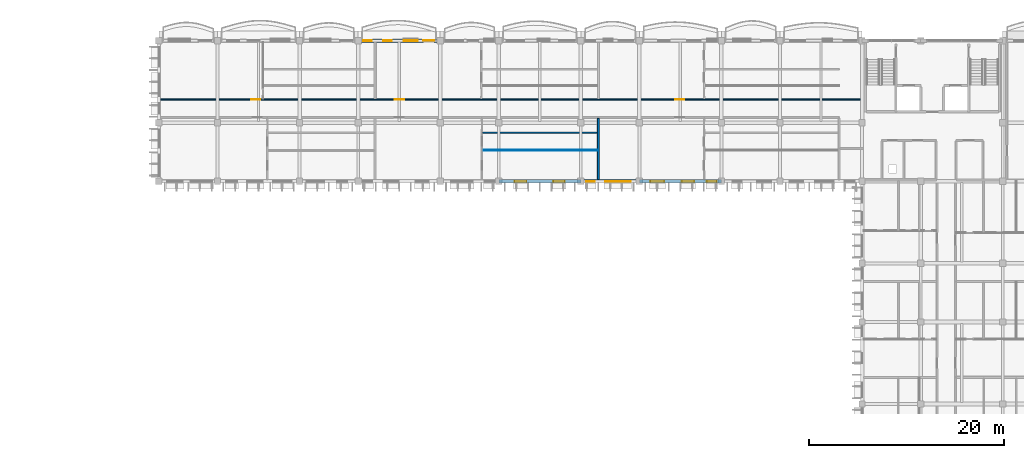
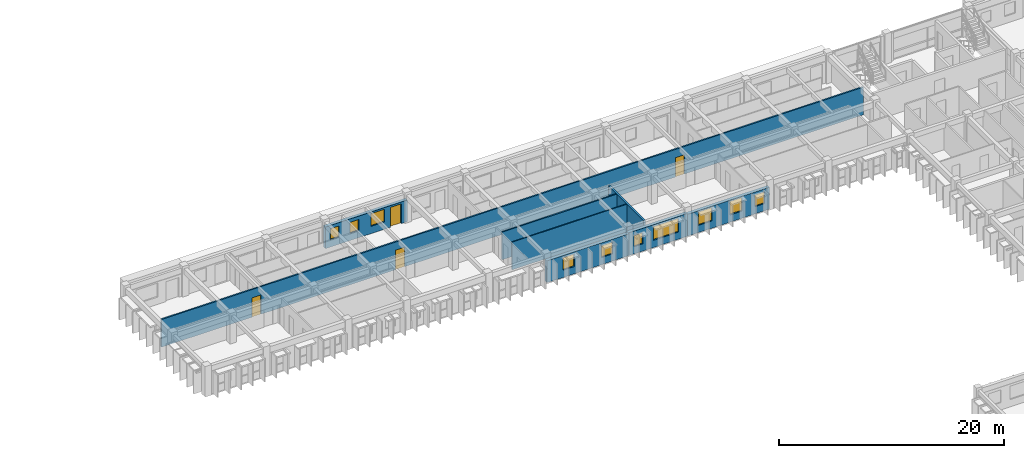
# One storey, part 29 of 70: 10 windows, 8 walls, 4 doors, 14 openings.
"""IFC4 building model written with IfcOpenShell, lengths in metres."""

from ifc_helpers import new_model, si_unit, direction, frame, frame_2d, origin, place, context, subcontext, project, spatial, rectangle, extrude, material, layer, layer_set, type_object, element, fill, save


model = new_model("IFC4")

# Units and contexts
model_context = context("Model", 3, precision=1e-05, world=origin(), true_north=direction((0.0, 1.0)))
body_context = subcontext(model_context, "Body", "Model", "MODEL_VIEW")
ifc_project = project(units=[si_unit("LENGTHUNIT", "METRE"), si_unit("AREAUNIT", "SQUARE_METRE"), si_unit("VOLUMEUNIT", "CUBIC_METRE"), si_unit("PLANEANGLEUNIT", "RADIAN"), si_unit("MASSUNIT", "GRAM", prefix="KILO"), si_unit("THERMODYNAMICTEMPERATUREUNIT", "KELVIN")], contexts=[model_context])

# Site, building, storey
site_placement = place(None, origin())
site = spatial("IfcSite", under=ifc_project, at=site_placement, CompositionType="ELEMENT")
building_placement = place(site_placement, origin())
building = spatial("IfcBuilding", under=site, at=building_placement, Name="Thalorik Housing Commons", CompositionType="ELEMENT")
storey_placement = place(building_placement, frame((0.0, 0.0, 14.699951171875)))
storey = spatial("IfcBuildingStorey", under=building, at=storey_placement, Name="L04", CompositionType="ELEMENT", Elevation=14.699951171875)

# Wall, openings, doors
ifc_material_1 = material(Name="Masonry fire-rated corridor wall", Category="masonry")
ifc_layer_1 = layer(ifc_material_1, 0.14990234375, Name="Masonry fire-rated corridor wall", Category="masonry")
ifc_layer_set_1 = layer_set([ifc_layer_1], Name="Masonry fire-rated corridor wall")
wall_type_1 = type_object("IfcWallType", Name="ARC-WAL-CORR-150", PredefinedType="PARTITIONING", material=ifc_layer_set_1)
wall_1_placement = place(storey_placement, frame((80.569580078125, 117.580078125, 0.0), z_axis=(0.0, 0.0, 1.0), x_axis=(1.0, 0.0, 0.0)))
wall_1 = element("IfcWall", 1, at=wall_1_placement, inside=storey, type_object=wall_type_1, Name="L04 Block B N Corridor Wall 2", PredefinedType="PARTITIONING", context=body_context, shape_type="SweptSolid", body=[
    extrude(rectangle(XDim=71.970458984375, YDim=0.14990234375, at=frame_2d((35.9853515625, 0.0))), origin(), (0.0, 0.0, 1.0), 3.0),
])
opening_1_placement = place(wall_1_placement, frame((9.27880859375, 0.0, 0.0)))
opening_1 = element("IfcOpeningElement", 2, at=opening_1_placement, cuts=wall_1, Name="Opening ID-1144", PredefinedType="OPENING", context=body_context, shape_type="SweptSolid", body=[
    extrude(rectangle(XDim=0.919921875, YDim=2.10009765625, at=frame_2d((0.4599609375, 1.050048828125))), frame((0.0, 0.0849609375, 0.0), z_axis=(0.0, -1.0, 0.0), x_axis=(1.0, 0.0, 0.0)), (0.0, 0.0, 1.0), 0.169921875),
])
opening_2_placement = place(wall_1_placement, frame((23.9853515625, 0.0, 0.0)))
opening_2 = element("IfcOpeningElement", 3, at=opening_2_placement, cuts=wall_1, Name="Opening ID-1145", PredefinedType="OPENING", context=body_context, shape_type="SweptSolid", body=[
    extrude(rectangle(XDim=0.9599609375, YDim=2.1201171875, at=frame_2d((0.47998046875, 1.06005859375))), frame((0.0, 0.0849609375, 0.0), z_axis=(0.0, -1.0, 0.0), x_axis=(1.0, 0.0, 0.0)), (0.0, 0.0, 1.0), 0.169921875),
])
opening_3_placement = place(wall_1_placement, frame((52.6953125, 0.0, 0.0)))
opening_3 = element("IfcOpeningElement", 4, at=opening_3_placement, cuts=wall_1, Name="Opening ID-1146", PredefinedType="OPENING", context=body_context, shape_type="SweptSolid", body=[
    extrude(rectangle(XDim=0.919921875, YDim=2.10009765625, at=frame_2d((0.4599609375, 1.050048828125))), frame((0.0, 0.0849609375, 0.0), z_axis=(0.0, -1.0, 0.0), x_axis=(1.0, 0.0, 0.0)), (0.0, 0.0, 1.0), 0.169921875),
])
ifc_material_2 = material(Name="Solid core hardwood timber", Category="wood")
door_type_1 = type_object("IfcDoorType", Name="ARC-DR-FD30-920", OperationType="NOTDEFINED", PredefinedType="DOOR", material=ifc_material_2)
door_1_placement = place(opening_1_placement, origin())
door_1 = element("IfcDoor", 5, at=door_1_placement, inside=storey, type_object=door_type_1, Name="L04 Flat BN-1B Entrance Door", OperationType="SINGLE_SWING_LEFT", OverallHeight=2.10009765625, OverallWidth=0.919921875, PredefinedType="DOOR", context=body_context, shape_type="SweptSolid", body=[
    extrude(rectangle(XDim=0.919921875, YDim=2.10009765625, at=frame_2d((0.4599609375, 1.050048828125))), frame((0.0, 0.02490234375, 0.0), z_axis=(0.0, -1.0, 0.0), x_axis=(1.0, 0.0, 0.0)), (0.0, 0.0, 1.0), 0.050048828125),
])
fill(opening_1, door_1)
door_2_placement = place(opening_3_placement, origin())
door_2 = element("IfcDoor", 6, at=door_2_placement, inside=storey, type_object=door_type_1, Name="L04 Flat BN-3B Entrance Door", OperationType="SINGLE_SWING_LEFT", OverallHeight=2.10009765625, OverallWidth=0.919921875, PredefinedType="DOOR", context=body_context, shape_type="SweptSolid", body=[
    extrude(rectangle(XDim=0.919921875, YDim=2.10009765625, at=frame_2d((0.4599609375, 1.050048828125))), frame((0.0, 0.02490234375, 0.0), z_axis=(0.0, -1.0, 0.0), x_axis=(1.0, 0.0, 0.0)), (0.0, 0.0, 1.0), 0.050048828125),
])
fill(opening_3, door_2)
door_type_2 = type_object("IfcDoorType", Name="ARC-DR-FD30-960", OperationType="NOTDEFINED", PredefinedType="DOOR", material=ifc_material_2)
door_3_placement = place(opening_2_placement, origin())
door_3 = element("IfcDoor", 7, at=door_3_placement, inside=storey, type_object=door_type_2, Name="L04 Flat BN-2B Entrance Door", OperationType="SINGLE_SWING_RIGHT", OverallHeight=2.1201171875, OverallWidth=0.9599609375, PredefinedType="DOOR", context=body_context, shape_type="SweptSolid", body=[
    extrude(rectangle(XDim=0.9599609375, YDim=2.1201171875, at=frame_2d((0.47998046875, 1.06005859375))), frame((0.0, 0.02490234375, 0.0), z_axis=(0.0, -1.0, 0.0), x_axis=(1.0, 0.0, 0.0)), (0.0, 0.0, 1.0), 0.050048828125),
])
fill(opening_2, door_3)

# Wall, openings, door, windows
ifc_material_3 = material(Name="White precast concrete C40/50", Category="concrete")
ifc_layer_2 = layer(ifc_material_3, 0.3349609375, Name="White precast concrete C40/50", Category="concrete")
ifc_layer_set_2 = layer_set([ifc_layer_2], Name="White precast concrete C40/50")
wall_type_2 = type_object("IfcWallType", Name="ARC-WAL-EXT-335", PredefinedType="STANDARD", material=ifc_layer_set_2)
wall_2_placement = place(storey_placement, frame((109.199951171875, 123.60009765625, 0.0), z_axis=(0.0, 0.0, 1.0), x_axis=(-1.0, 0.0, 0.0)))
wall_2 = element("IfcWall", 8, at=wall_2_placement, inside=storey, type_object=wall_type_2, Name="L04 Exterior Wall WAL-EXT-L04-B-0532", PredefinedType="STANDARD", context=body_context, shape_type="SweptSolid", body=[
    extrude(rectangle(XDim=8.39990234375, YDim=0.3349609375, at=frame_2d((4.199951171875, 0.0))), origin(), (0.0, 0.0, 1.0), 2.344970703125),
])
opening_4_placement = place(wall_2_placement, frame((0.6201171875, 0.0, 0.0)))
opening_4 = element("IfcOpeningElement", 9, at=opening_4_placement, cuts=wall_2, Name="Opening ED-0166", PredefinedType="OPENING", context=body_context, shape_type="SweptSolid", body=[
    extrude(rectangle(XDim=1.10009765625, YDim=2.14990234375, at=frame_2d((0.550048828125, 1.074951171875))), frame((0.0, 0.177490234375, 0.0), z_axis=(0.0, -1.0, 0.0), x_axis=(1.0, 0.0, 0.0)), (0.0, 0.0, 1.0), 0.35498046875),
])
opening_5_placement = place(wall_2_placement, frame((2.3173828125, 0.0, 0.780029296875)))
opening_5 = element("IfcOpeningElement", 10, at=opening_5_placement, cuts=wall_2, Name="Opening W-50", PredefinedType="OPENING", context=body_context, shape_type="SweptSolid", body=[
    extrude(rectangle(XDim=1.419921875, YDim=1.3798828125, at=frame_2d((0.7099609375, 0.68994140625))), frame((0.0, 0.177490234375, 0.0), z_axis=(0.0, -1.0, 0.0), x_axis=(1.0, 0.0, 0.0)), (0.0, 0.0, 1.0), 0.35498046875),
])
opening_6_placement = place(wall_2_placement, frame((4.952392578125, 0.0, 0.780029296875)))
opening_6 = element("IfcOpeningElement", 11, at=opening_6_placement, cuts=wall_2, Name="Opening W-01", PredefinedType="OPENING", context=body_context, shape_type="SweptSolid", body=[
    extrude(rectangle(XDim=0.89990234375, YDim=1.199951171875, at=frame_2d((0.449951171875, 0.60009765625))), frame((0.0, 0.177490234375, 0.0), z_axis=(0.0, -1.0, 0.0), x_axis=(1.0, 0.0, 0.0)), (0.0, 0.0, 1.0), 0.35498046875),
])
opening_7_placement = place(wall_2_placement, frame((6.985107421875, 0.0, 0.780029296875)))
opening_7 = element("IfcOpeningElement", 12, at=opening_7_placement, cuts=wall_2, Name="Opening W-01", PredefinedType="OPENING", context=body_context, shape_type="SweptSolid", body=[
    extrude(rectangle(XDim=0.89990234375, YDim=1.199951171875, at=frame_2d((0.449951171875, 0.60009765625))), frame((0.0, 0.177490234375, 0.0), z_axis=(0.0, -1.0, 0.0), x_axis=(1.0, 0.0, 0.0)), (0.0, 0.0, 1.0), 0.35498046875),
])
ifc_material_4 = material(Name="Anodised aluminium and laminated safety glass", Category="aluminium")
door_type_3 = type_object("IfcDoorType", Name="ARC-DR-BAL-1100", OperationType="NOTDEFINED", PredefinedType="DOOR", material=ifc_material_4)
door_4_placement = place(opening_4_placement, frame((1.10009765625, 0.0, 0.0), z_axis=(0.0, 0.0, 1.0), x_axis=(-1.0, 0.0, 0.0)))
door_4 = element("IfcDoor", 13, at=door_4_placement, inside=storey, type_object=door_type_3, Name="L04 Block B Balcony Glazed Door", OperationType="SINGLE_SWING_LEFT", OverallHeight=2.14990234375, OverallWidth=1.10009765625, PredefinedType="DOOR", context=body_context, shape_type="SweptSolid", body=[
    extrude(rectangle(XDim=1.10009765625, YDim=2.14990234375, at=frame_2d((0.550048828125, 1.074951171875))), frame((0.0, 0.02490234375, 0.0), z_axis=(0.0, -1.0, 0.0), x_axis=(1.0, 0.0, 0.0)), (0.0, 0.0, 1.0), 0.050048828125),
])
fill(opening_4, door_4)
ifc_material_5 = material(Name="Anodised aluminium and solar-control low-E glass", Category="aluminium")
window_type_1 = type_object("IfcWindowType", Name="ARC-WIN-01", PartitioningType="SINGLE_PANEL", PredefinedType="WINDOW", material=ifc_material_5)
window_1_placement = place(opening_6_placement, origin())
window_1 = element("IfcWindow", 14, at=window_1_placement, inside=storey, type_object=window_type_1, Name="L04 Facade Window 956", OverallHeight=1.199951171875, OverallWidth=0.89990234375, PartitioningType="SINGLE_PANEL", PredefinedType="WINDOW", context=body_context, shape_type="SweptSolid", body=[
    extrude(rectangle(XDim=0.89990234375, YDim=1.199951171875, at=frame_2d((0.449951171875, 0.60009765625))), frame((0.0, 0.030029296875, 0.0), z_axis=(0.0, -1.0, 0.0), x_axis=(1.0, 0.0, 0.0)), (0.0, 0.0, 1.0), 0.06005859375),
])
fill(opening_6, window_1)
window_2_placement = place(opening_7_placement, origin())
window_2 = element("IfcWindow", 15, at=window_2_placement, inside=storey, type_object=window_type_1, Name="L04 Facade Window 957", OverallHeight=1.199951171875, OverallWidth=0.89990234375, PartitioningType="SINGLE_PANEL", PredefinedType="WINDOW", context=body_context, shape_type="SweptSolid", body=[
    extrude(rectangle(XDim=0.89990234375, YDim=1.199951171875, at=frame_2d((0.449951171875, 0.60009765625))), frame((0.0, 0.030029296875, 0.0), z_axis=(0.0, -1.0, 0.0), x_axis=(1.0, 0.0, 0.0)), (0.0, 0.0, 1.0), 0.06005859375),
])
fill(opening_7, window_2)
window_type_2 = type_object("IfcWindowType", Name="ARC-WIN-50", PartitioningType="SINGLE_PANEL", PredefinedType="WINDOW", material=ifc_material_5)
window_3_placement = place(opening_5_placement, origin())
window_3 = element("IfcWindow", 16, at=window_3_placement, inside=storey, type_object=window_type_2, Name="L04 Facade Window 955", OverallHeight=1.3798828125, OverallWidth=1.419921875, PartitioningType="SINGLE_PANEL", PredefinedType="WINDOW", context=body_context, shape_type="SweptSolid", body=[
    extrude(rectangle(XDim=1.419921875, YDim=1.3798828125, at=frame_2d((0.7099609375, 0.68994140625))), frame((0.0, 0.030029296875, 0.0), z_axis=(0.0, -1.0, 0.0), x_axis=(1.0, 0.0, 0.0)), (0.0, 0.0, 1.0), 0.06005859375),
])
fill(opening_5, window_3)

# Wall, openings, windows
wall_3_placement = place(storey_placement, frame((115.199951171875, 109.199951171875, 0.0), z_axis=(0.0, 0.0, 1.0), x_axis=(1.0, 0.0, 0.0)))
wall_3 = element("IfcWall", 17, at=wall_3_placement, inside=storey, type_object=wall_type_2, Name="L04 Exterior Wall WAL-EXT-L04-B-0543", PredefinedType="STANDARD", context=body_context, shape_type="SweptSolid", body=[
    extrude(rectangle(XDim=8.400146484375, YDim=0.3349609375, at=frame_2d((4.2001953125, 0.0))), origin(), (0.0, 0.0, 1.0), 2.375),
])
opening_8_placement = place(wall_3_placement, frame((1.6298828125, 0.0, 0.780029296875)))
opening_8 = element("IfcOpeningElement", 18, at=opening_8_placement, cuts=wall_3, Name="Opening W-04", PredefinedType="OPENING", context=body_context, shape_type="SweptSolid", body=[
    extrude(rectangle(XDim=1.199951171875, YDim=1.35009765625, at=frame_2d((0.60009765625, 0.675048828125))), frame((0.0, 0.177490234375, 0.0), z_axis=(0.0, -1.0, 0.0), x_axis=(1.0, 0.0, 0.0)), (0.0, 0.0, 1.0), 0.35498046875),
])
opening_9_placement = place(wall_3_placement, frame((5.594970703125, 0.0, 0.780029296875)))
opening_9 = element("IfcOpeningElement", 19, at=opening_9_placement, cuts=wall_3, Name="Opening W-45", PredefinedType="OPENING", context=body_context, shape_type="SweptSolid", body=[
    extrude(rectangle(XDim=1.14990234375, YDim=1.25, at=frame_2d((0.574951171875, 0.625))), frame((0.0, 0.177490234375, 0.0), z_axis=(0.0, -1.0, 0.0), x_axis=(1.0, 0.0, 0.0)), (0.0, 0.0, 1.0), 0.35498046875),
])
window_type_3 = type_object("IfcWindowType", Name="ARC-WIN-04", PartitioningType="SINGLE_PANEL", PredefinedType="WINDOW", material=ifc_material_5)
window_4_placement = place(opening_8_placement, origin())
window_4 = element("IfcWindow", 20, at=window_4_placement, inside=storey, type_object=window_type_3, Name="L04 Facade Window 979", OverallHeight=1.35009765625, OverallWidth=1.199951171875, PartitioningType="SINGLE_PANEL", PredefinedType="WINDOW", context=body_context, shape_type="SweptSolid", body=[
    extrude(rectangle(XDim=1.199951171875, YDim=1.35009765625, at=frame_2d((0.60009765625, 0.675048828125))), frame((0.0, 0.030029296875, 0.0), z_axis=(0.0, -1.0, 0.0), x_axis=(1.0, 0.0, 0.0)), (0.0, 0.0, 1.0), 0.06005859375),
])
fill(opening_8, window_4)
window_type_4 = type_object("IfcWindowType", Name="ARC-WIN-45", PartitioningType="SINGLE_PANEL", PredefinedType="WINDOW", material=ifc_material_5)
window_5_placement = place(opening_9_placement, origin())
window_5 = element("IfcWindow", 21, at=window_5_placement, inside=storey, type_object=window_type_4, Name="L04 Facade Window 980", OverallHeight=1.25, OverallWidth=1.14990234375, PartitioningType="SINGLE_PANEL", PredefinedType="WINDOW", context=body_context, shape_type="SweptSolid", body=[
    extrude(rectangle(XDim=1.14990234375, YDim=1.25, at=frame_2d((0.574951171875, 0.625))), frame((0.0, 0.030029296875, 0.0), z_axis=(0.0, -1.0, 0.0), x_axis=(1.0, 0.0, 0.0)), (0.0, 0.0, 1.0), 0.06005859375),
])
fill(opening_9, window_5)

wall_4_placement = place(storey_placement, frame((123.60009765625, 109.199951171875, 0.0), z_axis=(0.0, 0.0, 1.0), x_axis=(1.0, 0.0, 0.0)))
wall_4 = element("IfcWall", 22, at=wall_4_placement, inside=storey, type_object=wall_type_2, Name="L04 Exterior Wall WAL-EXT-L04-B-0544", PredefinedType="STANDARD", context=body_context, shape_type="SweptSolid", body=[
    extrude(rectangle(XDim=6.0, YDim=0.3349609375, at=frame_2d((3.0, 0.0))), origin(), (0.0, 0.0, 1.0), 2.47509765625),
])
opening_10_placement = place(wall_4_placement, frame((0.544921875, 0.0, 0.780029296875)))
opening_10 = element("IfcOpeningElement", 23, at=opening_10_placement, cuts=wall_4, Name="Opening W-01", PredefinedType="OPENING", context=body_context, shape_type="SweptSolid", body=[
    extrude(rectangle(XDim=0.89990234375, YDim=1.199951171875, at=frame_2d((0.449951171875, 0.60009765625))), frame((0.0, 0.177490234375, 0.0), z_axis=(0.0, -1.0, 0.0), x_axis=(1.0, 0.0, 0.0)), (0.0, 0.0, 1.0), 0.35498046875),
])
opening_11_placement = place(wall_4_placement, frame((2.514892578125, 0.0, 0.780029296875)))
opening_11 = element("IfcOpeningElement", 24, at=opening_11_placement, cuts=wall_4, Name="Opening W-73", PredefinedType="OPENING", context=body_context, shape_type="SweptSolid", body=[
    extrude(rectangle(XDim=2.580078125, YDim=1.47998046875, at=frame_2d((1.2900390625, 0.739990234375))), frame((0.0, 0.177490234375, 0.0), z_axis=(0.0, -1.0, 0.0), x_axis=(1.0, 0.0, 0.0)), (0.0, 0.0, 1.0), 0.35498046875),
])
window_6_placement = place(opening_10_placement, origin())
window_6 = element("IfcWindow", 25, at=window_6_placement, inside=storey, type_object=window_type_1, Name="L04 Facade Window 981", OverallHeight=1.199951171875, OverallWidth=0.89990234375, PartitioningType="SINGLE_PANEL", PredefinedType="WINDOW", context=body_context, shape_type="SweptSolid", body=[
    extrude(rectangle(XDim=0.89990234375, YDim=1.199951171875, at=frame_2d((0.449951171875, 0.60009765625))), frame((0.0, 0.030029296875, 0.0), z_axis=(0.0, -1.0, 0.0), x_axis=(1.0, 0.0, 0.0)), (0.0, 0.0, 1.0), 0.06005859375),
])
fill(opening_10, window_6)
window_type_5 = type_object("IfcWindowType", Name="ARC-WIN-73", PartitioningType="DOUBLE_PANEL_VERTICAL", PredefinedType="WINDOW", material=ifc_material_5)
window_7_placement = place(opening_11_placement, origin())
window_7 = element("IfcWindow", 26, at=window_7_placement, inside=storey, type_object=window_type_5, Name="L04 Facade Window 982", OverallHeight=1.47998046875, OverallWidth=2.580078125, PartitioningType="DOUBLE_PANEL_VERTICAL", PredefinedType="WINDOW", context=body_context, shape_type="SweptSolid", body=[
    extrude(rectangle(XDim=2.580078125, YDim=1.47998046875, at=frame_2d((1.2900390625, 0.739990234375))), frame((0.0, 0.030029296875, 0.0), z_axis=(0.0, -1.0, 0.0), x_axis=(1.0, 0.0, 0.0)), (0.0, 0.0, 1.0), 0.06005859375),
])
fill(opening_11, window_7)

wall_5_placement = place(storey_placement, frame((129.60009765625, 109.199951171875, 0.0), z_axis=(0.0, 0.0, 1.0), x_axis=(1.0, 0.0, 0.0)))
wall_5 = element("IfcWall", 27, at=wall_5_placement, inside=storey, type_object=wall_type_2, Name="L04 Exterior Wall WAL-EXT-L04-B-0545", PredefinedType="STANDARD", context=body_context, shape_type="SweptSolid", body=[
    extrude(rectangle(XDim=8.39990234375, YDim=0.3349609375, at=frame_2d((4.199951171875, 0.0))), origin(), (0.0, 0.0, 1.0), 2.375),
])
opening_12_placement = place(wall_5_placement, frame((1.1337890625, 0.0, 0.780029296875)))
opening_12 = element("IfcOpeningElement", 28, at=opening_12_placement, cuts=wall_5, Name="Opening W-08", PredefinedType="OPENING", context=body_context, shape_type="SweptSolid", body=[
    extrude(rectangle(XDim=1.39990234375, YDim=1.449951171875, at=frame_2d((0.699951171875, 0.72509765625))), frame((0.0, 0.177490234375, 0.0), z_axis=(0.0, -1.0, 0.0), x_axis=(1.0, 0.0, 0.0)), (0.0, 0.0, 1.0), 0.35498046875),
])
opening_13_placement = place(wall_5_placement, frame((4.356201171875, 0.0, 0.780029296875)))
opening_13 = element("IfcOpeningElement", 29, at=opening_13_placement, cuts=wall_5, Name="Opening W-47", PredefinedType="OPENING", context=body_context, shape_type="SweptSolid", body=[
    extrude(rectangle(XDim=1.25, YDim=1.449951171875, at=frame_2d((0.625, 0.72509765625))), frame((0.0, 0.177490234375, 0.0), z_axis=(0.0, -1.0, 0.0), x_axis=(1.0, 0.0, 0.0)), (0.0, 0.0, 1.0), 0.35498046875),
])
opening_14_placement = place(wall_5_placement, frame((6.91748046875, 0.0, 0.780029296875)))
opening_14 = element("IfcOpeningElement", 30, at=opening_14_placement, cuts=wall_5, Name="Opening W-02", PredefinedType="OPENING", context=body_context, shape_type="SweptSolid", body=[
    extrude(rectangle(XDim=1.0, YDim=1.25, at=frame_2d((0.5, 0.625))), frame((0.0, 0.177490234375, 0.0), z_axis=(0.0, -1.0, 0.0), x_axis=(1.0, 0.0, 0.0)), (0.0, 0.0, 1.0), 0.35498046875),
])
window_type_6 = type_object("IfcWindowType", Name="ARC-WIN-02", PartitioningType="SINGLE_PANEL", PredefinedType="WINDOW", material=ifc_material_5)
window_8_placement = place(opening_14_placement, origin())
window_8 = element("IfcWindow", 31, at=window_8_placement, inside=storey, type_object=window_type_6, Name="L04 Facade Window 985", OverallHeight=1.25, OverallWidth=1.0, PartitioningType="SINGLE_PANEL", PredefinedType="WINDOW", context=body_context, shape_type="SweptSolid", body=[
    extrude(rectangle(XDim=1.0, YDim=1.25, at=frame_2d((0.5, 0.625))), frame((0.0, 0.030029296875, 0.0), z_axis=(0.0, -1.0, 0.0), x_axis=(1.0, 0.0, 0.0)), (0.0, 0.0, 1.0), 0.06005859375),
])
fill(opening_14, window_8)
window_type_7 = type_object("IfcWindowType", Name="ARC-WIN-08", PartitioningType="SINGLE_PANEL", PredefinedType="WINDOW", material=ifc_material_5)
window_9_placement = place(opening_12_placement, origin())
window_9 = element("IfcWindow", 32, at=window_9_placement, inside=storey, type_object=window_type_7, Name="L04 Facade Window 983", OverallHeight=1.449951171875, OverallWidth=1.39990234375, PartitioningType="SINGLE_PANEL", PredefinedType="WINDOW", context=body_context, shape_type="SweptSolid", body=[
    extrude(rectangle(XDim=1.39990234375, YDim=1.449951171875, at=frame_2d((0.699951171875, 0.72509765625))), frame((0.0, 0.030029296875, 0.0), z_axis=(0.0, -1.0, 0.0), x_axis=(1.0, 0.0, 0.0)), (0.0, 0.0, 1.0), 0.06005859375),
])
fill(opening_12, window_9)
window_type_8 = type_object("IfcWindowType", Name="ARC-WIN-47", PartitioningType="SINGLE_PANEL", PredefinedType="WINDOW", material=ifc_material_5)
window_10_placement = place(opening_13_placement, origin())
window_10 = element("IfcWindow", 33, at=window_10_placement, inside=storey, type_object=window_type_8, Name="L04 Facade Window 984", OverallHeight=1.449951171875, OverallWidth=1.25, PartitioningType="SINGLE_PANEL", PredefinedType="WINDOW", context=body_context, shape_type="SweptSolid", body=[
    extrude(rectangle(XDim=1.25, YDim=1.449951171875, at=frame_2d((0.625, 0.72509765625))), frame((0.0, 0.030029296875, 0.0), z_axis=(0.0, -1.0, 0.0), x_axis=(1.0, 0.0, 0.0)), (0.0, 0.0, 1.0), 0.06005859375),
])
fill(opening_13, window_10)

# Walls
ifc_material_6 = material(Name="Gypsum light stud partition", Category="masonry")
ifc_layer_3 = layer(ifc_material_6, 0.10009765625, Name="Gypsum light stud partition", Category="masonry")
ifc_layer_set_3 = layer_set([ifc_layer_3], Name="Gypsum light stud partition")
wall_type_3 = type_object("IfcWallType", Name="ARC-WAL-PART-100", PredefinedType="PARTITIONING", material=ifc_layer_set_3)
wall_6_placement = place(storey_placement, frame((113.529541015625, 112.36083984375, 0.0), z_axis=(0.0, 0.0, 1.0), x_axis=(1.0, 0.0, 0.0)))
element("IfcWall", 34, at=wall_6_placement, inside=storey, type_object=wall_type_3, Name="L04 Unit 2 Bedroom Partition", PredefinedType="PARTITIONING", context=body_context, shape_type="SweptSolid", body=[
    extrude(rectangle(XDim=11.7685546875, YDim=0.10009765625, at=frame_2d((5.88427734375, 0.0))), origin(), (0.0, 0.0, 1.0), 3.0),
])
ifc_material_7 = material(Name="Ceramic masonry partition wall", Category="masonry")
ifc_layer_4 = layer(ifc_material_7, 0.139892578125, Name="Ceramic masonry partition wall", Category="masonry")
ifc_layer_set_4 = layer_set([ifc_layer_4], Name="Ceramic masonry partition wall")
wall_type_4 = type_object("IfcWallType", Name="ARC-WAL-PART-140", PredefinedType="PARTITIONING", material=ifc_layer_set_4)
wall_7_placement = place(storey_placement, frame((113.529541015625, 114.169677734375, 0.0), z_axis=(0.0, 0.0, 1.0), x_axis=(1.0, 0.0, 0.0)))
element("IfcWall", 35, at=wall_7_placement, inside=storey, type_object=wall_type_4, Name="L04 Unit 2 Wet Wall", PredefinedType="PARTITIONING", context=body_context, shape_type="SweptSolid", body=[
    extrude(rectangle(XDim=11.7685546875, YDim=0.139892578125, at=frame_2d((5.88427734375, 0.0))), origin(), (0.0, 0.0, 1.0), 3.0),
])
ifc_material_8 = material(Name="Precast concrete C40/50 acoustic wall", Category="concrete")
ifc_layer_5 = layer(ifc_material_8, 0.199951171875, Name="Precast concrete C40/50 acoustic wall", Category="concrete")
ifc_layer_set_5 = layer_set([ifc_layer_5], Name="Precast concrete C40/50 acoustic wall")
wall_type_5 = type_object("IfcWallType", Name="ARC-WAL-PARTY-200", PredefinedType="PARTITIONING", material=ifc_layer_set_5)
wall_8_placement = place(storey_placement, frame((125.39990234375, 109.369384765625, 0.0), z_axis=(0.0, 0.0, 1.0), x_axis=(0.0, 1.0, 0.0)))
element("IfcWall", 36, at=wall_8_placement, inside=storey, type_object=wall_type_5, Name="L04 Inter-Tenancy Wall 2A", PredefinedType="PARTITIONING", context=body_context, shape_type="SweptSolid", body=[
    extrude(rectangle(XDim=6.26611328125, YDim=0.199951171875, at=frame_2d((3.133056640625, 0.0))), origin(), (0.0, 0.0, 1.0), 3.0),
])

save(model, "model.ifc")
